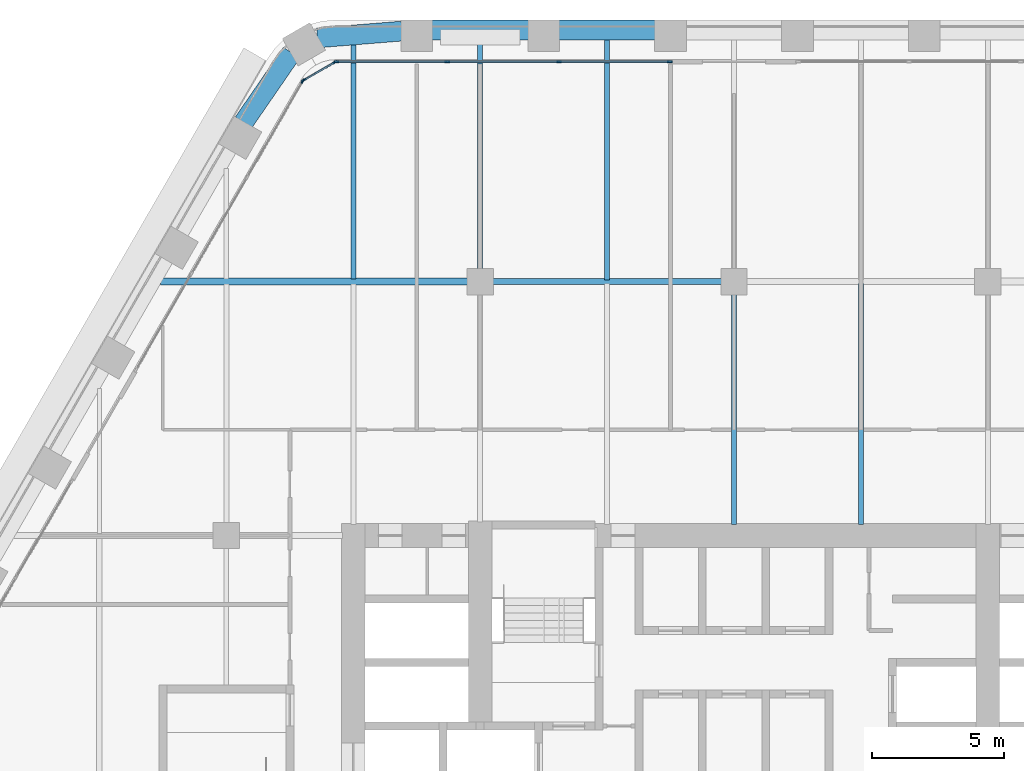
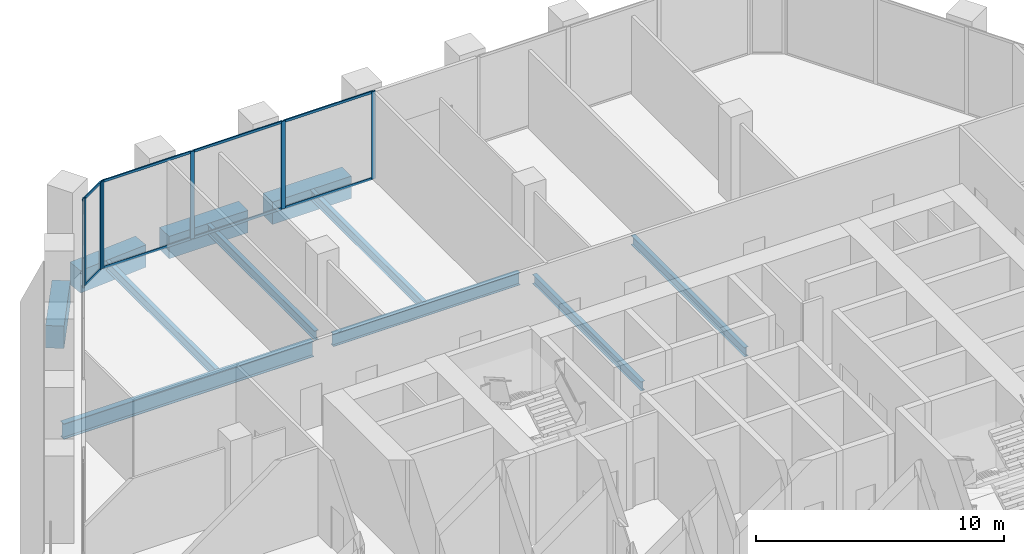
# One storey, part 7 of 23: 15 members, 11 beams, 3 elements without a shape of their own.
"""IFC4 building model written with IfcOpenShell, lengths in metres."""

from ifc_helpers import new_model, si_unit, direction, frame, origin, origin_2d, place, context, subcontext, project, spatial, rectangle, i_section, extrude, material, material_profile, profile_set, type_object, element, aggregate, save


model = new_model("IFC4")

# Units and contexts
model_context = context("Model", 3, precision=1e-05, world=origin(), true_north=direction((0.0, 1.0)))
body_context = subcontext(model_context, "Body", "Model", "MODEL_VIEW")
ifc_project = project(units=[si_unit("LENGTHUNIT", "METRE"), si_unit("AREAUNIT", "SQUARE_METRE"), si_unit("VOLUMEUNIT", "CUBIC_METRE"), si_unit("PLANEANGLEUNIT", "RADIAN"), si_unit("MASSUNIT", "GRAM", prefix="KILO")], contexts=[model_context])

# Site, building, storey
site_placement = place(None, origin())
site = spatial("IfcSite", under=ifc_project, at=site_placement, CompositionType="ELEMENT")
building_placement = place(site_placement, origin())
building = spatial("IfcBuilding", under=site, at=building_placement, Name="Kolab Exchange Tower", CompositionType="ELEMENT")
storey_placement = place(building_placement, frame((0.0, 0.0, 95.89990234375)))
storey = spatial("IfcBuildingStorey", under=building, at=storey_placement, Name="L18", CompositionType="ELEMENT", Elevation=95.89990234375)

# Beams
ifc_material_1 = material(Name="Steel S355", Category="steel")
ifc_material_profile_1 = material_profile(ifc_material_1, i_section(OverallWidth=0.18994140625, OverallDepth=0.45703125, WebThickness=0.009033203125, FlangeThickness=0.014404296875, at=origin_2d()), Name="W460X74")
ifc_profile_set_1 = profile_set([ifc_material_profile_1], Name="Steel S355")
beam_type_1 = type_object("IfcBeamType", Name="FLOOR BEAM W460X74", PredefinedType="BEAM", material=ifc_profile_set_1)
beam_1_placement = place(storey_placement, frame((-14.39990234375, 19.29345703125, -0.428466796875), z_axis=(0.0, 1.0, 0.0), x_axis=(-1.0, 0.0, 0.0)))
element("IfcBeam", 1, at=beam_1_placement, inside=storey, type_object=beam_type_1, Name="beam/L18/fr/015", PredefinedType="BEAM", context=body_context, shape_type="SweptSolid", body=[
    extrude(i_section(OverallWidth=0.18994140625, OverallDepth=0.45703125, WebThickness=0.009033203125, FlangeThickness=0.014404296875, at=origin_2d()), origin(), (0.0, 0.0, 1.0), 8.901123046875),
])
beam_2_placement = place(storey_placement, frame((-9.60009765625, 19.659912109375, -0.428466796875), z_axis=(0.0, 1.0, 0.0), x_axis=(-1.0, 0.0, 0.0)))
element("IfcBeam", 2, at=beam_2_placement, inside=storey, type_object=beam_type_1, Name="beam/L18/fr/019", PredefinedType="BEAM", context=body_context, shape_type="SweptSolid", body=[
    extrude(i_section(OverallWidth=0.18994140625, OverallDepth=0.45703125, WebThickness=0.009033203125, FlangeThickness=0.014404296875, at=origin_2d()), origin(), (0.0, 0.0, 1.0), 8.728515625),
])
beam_3_placement = place(storey_placement, frame((-4.800048828125, 19.27392578125, -0.428466796875), z_axis=(0.0, 1.0, 0.0), x_axis=(-1.0, 0.0, 0.0)))
element("IfcBeam", 3, at=beam_3_placement, inside=storey, type_object=beam_type_1, Name="beam/L18/fr/023", PredefinedType="BEAM", context=body_context, shape_type="SweptSolid", body=[
    extrude(i_section(OverallWidth=0.18994140625, OverallDepth=0.45703125, WebThickness=0.009033203125, FlangeThickness=0.014404296875, at=origin_2d()), origin(), (0.0, 0.0, 1.0), 9.114501953125),
])
beam_4_placement = place(storey_placement, frame((0.0, 10.010009765625, -0.428466796875), z_axis=(0.0, 1.0, 0.0), x_axis=(-1.0, 0.0, 0.0)))
element("IfcBeam", 4, at=beam_4_placement, inside=storey, type_object=beam_type_1, Name="beam/L18/fr/026", PredefinedType="BEAM", context=body_context, shape_type="SweptSolid", body=[
    extrude(i_section(OverallWidth=0.18994140625, OverallDepth=0.45703125, WebThickness=0.009033203125, FlangeThickness=0.014404296875, at=origin_2d()), origin(), (0.0, 0.0, 1.0), 8.72998046875),
])
beam_5_placement = place(storey_placement, frame((4.800048828125, 10.010009765625, -0.428466796875), z_axis=(0.0, 1.0, 0.0), x_axis=(-1.0, 0.0, 0.0)))
element("IfcBeam", 5, at=beam_5_placement, inside=storey, type_object=beam_type_1, Name="beam/L18/fr/030", PredefinedType="BEAM", context=body_context, shape_type="SweptSolid", body=[
    extrude(i_section(OverallWidth=0.18994140625, OverallDepth=0.45703125, WebThickness=0.009033203125, FlangeThickness=0.014404296875, at=origin_2d()), origin(), (0.0, 0.0, 1.0), 9.115966796875),
])
ifc_material_profile_2 = material_profile(ifc_material_1, i_section(OverallWidth=0.22802734375, OverallDepth=0.60791015625, WebThickness=0.01123046875, FlangeThickness=0.017333984375, at=origin_2d()), Name="W610X113")
ifc_profile_set_2 = profile_set([ifc_material_profile_2], Name="Steel S355")
beam_type_2 = type_object("IfcBeamType", Name="FLOOR GIRDER W610X113", PredefinedType="BEAM", material=ifc_profile_set_2)
beam_6_placement = place(storey_placement, frame((-9.139892578125, 19.199951171875, -0.50390625), z_axis=(1.0, 0.0, 0.0), x_axis=(0.0, 1.0, 0.0)))
element("IfcBeam", 6, at=beam_6_placement, inside=storey, type_object=beam_type_2, Name="beam/L18/gd/009", PredefinedType="BEAM", context=body_context, shape_type="SweptSolid", body=[
    extrude(i_section(OverallWidth=0.22802734375, OverallDepth=0.60791015625, WebThickness=0.01123046875, FlangeThickness=0.017333984375, at=origin_2d()), origin(), (0.0, 0.0, 1.0), 8.679931640625),
])
ifc_material_profile_3 = material_profile(ifc_material_1, i_section(OverallWidth=0.26708984375, OverallDepth=0.761962890625, WebThickness=0.014404296875, FlangeThickness=0.021484375, at=origin_2d()), Name="W760X173")
ifc_profile_set_3 = profile_set([ifc_material_profile_3], Name="Steel S355")
beam_type_3 = type_object("IfcBeamType", Name="FLOOR GIRDER W760X173", PredefinedType="BEAM", material=ifc_profile_set_3)
beam_7_placement = place(storey_placement, frame((-21.688720703125, 19.199951171875, -0.580810546875), z_axis=(1.0, 0.0, 0.0), x_axis=(0.0, 1.0, 0.0)))
element("IfcBeam", 7, at=beam_7_placement, inside=storey, type_object=beam_type_3, Name="beam/L18/gd/004", PredefinedType="BEAM", context=body_context, shape_type="SweptSolid", body=[
    extrude(i_section(OverallWidth=0.26708984375, OverallDepth=0.761962890625, WebThickness=0.014404296875, FlangeThickness=0.021484375, at=origin_2d()), origin(), (0.0, 0.0, 1.0), 11.628662109375),
])
ifc_material_2 = material(Name="Concrete C70/85", Category="concrete")
ifc_material_profile_4 = material_profile(ifc_material_2, rectangle(XDim=0.75, YDim=1.10009765625, at=origin_2d()), Name="RC750X1100")
ifc_profile_set_4 = profile_set([ifc_material_profile_4], Name="Concrete C70/85")
beam_type_4 = type_object("IfcBeamType", Name="SPANDREL BEAM 750X1100 C70/85", PredefinedType="BEAM", material=ifc_profile_set_4)
beam_8_placement = place(storey_placement, frame((-15.75830078125, 28.421630859375, -0.75), z_axis=(0.996791038408, 0.080047646748, 0.0), x_axis=(-0.080047646748, 0.996791038408, 0.0)))
element("IfcBeam", 8, at=beam_8_placement, inside=storey, type_object=beam_type_4, Name="beam/L18/sp/F1-01", PredefinedType="BEAM", context=body_context, shape_type="SweptSolid", body=[
    extrude(rectangle(XDim=0.75, YDim=1.10009765625, at=origin_2d()), origin(), (0.0, 0.0, 1.0), 3.20849609375),
])
for number, where, z_axis, x_axis, name in (
    (9, (-11.43994140625, 28.723388671875, -0.75), (1.0, 0.0, 0.0), (0.0, 1.0, 0.0), "beam/L18/sp/F1-02"),
    (10, (-6.639892578125, 28.723388671875, -0.75), (1.0, 0.0, 0.0), (0.0, 1.0, 0.0), "beam/L18/sp/F1-03"),
):
    element("IfcBeam", number, at=place(storey_placement, frame(where, z_axis=z_axis, x_axis=x_axis)), inside=storey, type_object=beam_type_4, Name=name, PredefinedType="BEAM", context=body_context, shape_type="SweptSolid", body=[
        extrude(rectangle(XDim=0.75, YDim=1.10009765625, at=origin_2d()), origin(), (0.0, 0.0, 1.0), 3.679931640625),
    ])
beam_9_placement = place(storey_placement, frame((-18.55615234375, 25.216552734375, -0.75), z_axis=(0.567661826262, 0.823261836237, 0.0), x_axis=(-0.823261836237, 0.567661826262, 0.0)))
element("IfcBeam", 11, at=beam_9_placement, inside=storey, type_object=beam_type_4, Name="beam/L18/sp/F6-07", PredefinedType="BEAM", context=body_context, shape_type="SweptSolid", body=[
    extrude(rectangle(XDim=0.75, YDim=1.10009765625, at=origin_2d()), origin(), (0.0, 0.0, 1.0), 3.20849609375),
])

# Curtain wall, members
ifc_material_3 = material(Name="Aluminium EN AW-6063 T6", Category="aluminium")
curtain_wall_type = type_object("IfcCurtainWallType", Name="UNITISED LOWER MID ZONE CURTAIN WALL", PredefinedType="NOTDEFINED", material=ifc_material_3)
curtain_wall_1_placement = place(storey_placement, origin())
curtain_wall_1 = element("IfcCurtainWall", 12, at=curtain_wall_1_placement, inside=storey, type_object=curtain_wall_type, Name="cw/L18/F1-1", PredefinedType="NOTDEFINED")
ifc_material_profile_5 = material_profile(ifc_material_3, rectangle(XDim=0.06005859375, YDim=0.179931640625, at=origin_2d()), Name="RECT 60X180")
ifc_profile_set_5 = profile_set([ifc_material_profile_5], Name="Aluminium EN AW-6063 T6")
member_type_1 = type_object("IfcMemberType", Name="UNITISED LOWER MID ZONE MULLION 60 X 180", PredefinedType="MULLION", material=ifc_profile_set_5)
member_1_placement = place(storey_placement, frame((-15.037841796875, 27.5185546875, 0.0), z_axis=(0.0, 0.0, 1.0), x_axis=(0.0, 1.0, 0.0)))
member_1 = element("IfcMember", 13, at=member_1_placement, type_object=member_type_1, Name="CW2 mullion 1", PredefinedType="MULLION", context=body_context, shape_type="SweptSolid", body=[
    extrude(rectangle(XDim=0.06005859375, YDim=0.179931640625, at=origin_2d()), origin(), (0.0, 0.0, 1.0), 4.300048828125),
])
member_2_placement = place(storey_placement, frame((-10.84521484375, 27.5185546875, 0.0), z_axis=(0.0, 0.0, 1.0), x_axis=(0.0, 1.0, 0.0)))
member_2 = element("IfcMember", 14, at=member_2_placement, type_object=member_type_1, Name="CW2 mullion 2", PredefinedType="MULLION", context=body_context, shape_type="SweptSolid", body=[
    extrude(rectangle(XDim=0.06005859375, YDim=0.179931640625, at=origin_2d()), origin(), (0.0, 0.0, 1.0), 4.300048828125),
])
member_3_placement = place(storey_placement, frame((-6.62255859375, 27.5185546875, 0.0), z_axis=(0.0, 0.0, 1.0), x_axis=(0.0, 1.0, 0.0)))
member_3 = element("IfcMember", 15, at=member_3_placement, type_object=member_type_1, Name="CW2 mullion 3", PredefinedType="MULLION", context=body_context, shape_type="SweptSolid", body=[
    extrude(rectangle(XDim=0.06005859375, YDim=0.179931640625, at=origin_2d()), origin(), (0.0, 0.0, 1.0), 4.300048828125),
])
member_4_placement = place(storey_placement, frame((-2.429931640625, 27.5185546875, 0.0), z_axis=(0.0, 0.0, 1.0), x_axis=(0.0, 1.0, 0.0)))
member_4 = element("IfcMember", 16, at=member_4_placement, type_object=member_type_1, Name="CW2 mullion 4", PredefinedType="MULLION", context=body_context, shape_type="SweptSolid", body=[
    extrude(rectangle(XDim=0.06005859375, YDim=0.179931640625, at=origin_2d()), origin(), (0.0, 0.0, 1.0), 4.300048828125),
])

# Curtain wall, member
curtain_wall_2_placement = place(storey_placement, origin())
curtain_wall_2 = element("IfcCurtainWall", 17, at=curtain_wall_2_placement, inside=storey, type_object=curtain_wall_type, Name="cw/L18/F6-2", PredefinedType="NOTDEFINED")
member_5_placement = place(storey_placement, frame((-16.312744140625, 26.782470703125, 0.0), z_axis=(0.0, 0.0, 1.0), x_axis=(-0.866025393644, 0.500000017564, 0.0)))
member_5 = element("IfcMember", 18, at=member_5_placement, type_object=member_type_1, Name="CW2 mullion 4", PredefinedType="MULLION", context=body_context, shape_type="SweptSolid", body=[
    extrude(rectangle(XDim=0.06005859375, YDim=0.179931640625, at=origin_2d()), origin(), (0.0, 0.0, 1.0), 4.300048828125),
])
aggregate(curtain_wall_2, [member_5])

# Curtain wall, members
curtain_wall_3_placement = place(storey_placement, origin())
curtain_wall_3 = element("IfcCurtainWall", 19, at=curtain_wall_3_placement, inside=storey, type_object=curtain_wall_type, Name="cw/L18/F6F1-corner", PredefinedType="NOTDEFINED")
member_6_placement = place(storey_placement, frame((-16.271728515625, 26.823486328125, 0.0), z_axis=(0.0, 0.0, 1.0), x_axis=(-0.50000002237, 0.866025390869, 0.0)))
member_6 = element("IfcMember", 20, at=member_6_placement, type_object=member_type_1, Name="CW2 mullion 1", PredefinedType="MULLION", context=body_context, shape_type="SweptSolid", body=[
    extrude(rectangle(XDim=0.06005859375, YDim=0.179931640625, at=origin_2d()), origin(), (0.0, 0.0, 1.0), 4.300048828125),
])
member_7_placement = place(storey_placement, frame((-15.093994140625, 27.50341796875, 0.0), z_axis=(0.0, 0.0, 1.0), x_axis=(-0.50000002237, 0.866025390869, 0.0)))
member_7 = element("IfcMember", 21, at=member_7_placement, type_object=member_type_1, Name="CW2 mullion 2", PredefinedType="MULLION", context=body_context, shape_type="SweptSolid", body=[
    extrude(rectangle(XDim=0.06005859375, YDim=0.179931640625, at=origin_2d()), origin(), (0.0, 0.0, 1.0), 4.300048828125),
])

# Member
ifc_material_profile_6 = material_profile(ifc_material_3, rectangle(XDim=0.06005859375, YDim=0.1201171875, at=origin_2d()), Name="RECT 60X120")
ifc_profile_set_6 = profile_set([ifc_material_profile_6], Name="Aluminium EN AW-6063 T6")
member_type_2 = type_object("IfcMemberType", Name="UNITISED LOWER MID ZONE TRANSOM 60 X 120", PredefinedType="USERDEFINED", material=ifc_profile_set_6)
member_8_placement = place(storey_placement, frame((-15.008056640625, 27.5185546875, 0.030029296875), z_axis=(1.0, 0.0, 0.0), x_axis=(0.0, 1.0, 0.0)))
member_8 = element("IfcMember", 22, at=member_8_placement, type_object=member_type_2, Name="CW2 transom 1.1", ObjectType="TRANSOM", PredefinedType="USERDEFINED", context=body_context, shape_type="SweptSolid", body=[
    extrude(rectangle(XDim=0.06005859375, YDim=0.1201171875, at=origin_2d()), origin(), (0.0, 0.0, 1.0), 4.1328125),
])

member_9_placement = place(storey_placement, frame((-15.008056640625, 27.5185546875, 4.27001953125), z_axis=(1.0, 0.0, 0.0), x_axis=(0.0, 1.0, 0.0)))
member_9 = element("IfcMember", 23, at=member_9_placement, type_object=member_type_2, Name="CW2 transom 1.2", ObjectType="TRANSOM", PredefinedType="USERDEFINED", context=body_context, shape_type="SweptSolid", body=[
    extrude(rectangle(XDim=0.06005859375, YDim=0.1201171875, at=origin_2d()), origin(), (0.0, 0.0, 1.0), 4.1328125),
])

member_10_placement = place(storey_placement, frame((-10.815185546875, 27.5185546875, 0.030029296875), z_axis=(1.0, 0.0, 0.0), x_axis=(0.0, 1.0, 0.0)))
member_10 = element("IfcMember", 24, at=member_10_placement, type_object=member_type_2, Name="CW2 transom 2.1", ObjectType="TRANSOM", PredefinedType="USERDEFINED", context=body_context, shape_type="SweptSolid", body=[
    extrude(rectangle(XDim=0.06005859375, YDim=0.1201171875, at=origin_2d()), origin(), (0.0, 0.0, 1.0), 4.16259765625),
])

member_11_placement = place(storey_placement, frame((-10.815185546875, 27.5185546875, 4.27001953125), z_axis=(1.0, 0.0, 0.0), x_axis=(0.0, 1.0, 0.0)))
member_11 = element("IfcMember", 25, at=member_11_placement, type_object=member_type_2, Name="CW2 transom 2.2", ObjectType="TRANSOM", PredefinedType="USERDEFINED", context=body_context, shape_type="SweptSolid", body=[
    extrude(rectangle(XDim=0.06005859375, YDim=0.1201171875, at=origin_2d()), origin(), (0.0, 0.0, 1.0), 4.16259765625),
])

member_12_placement = place(storey_placement, frame((-6.592529296875, 27.5185546875, 0.030029296875), z_axis=(1.0, 0.0, 0.0), x_axis=(0.0, 1.0, 0.0)))
member_12 = element("IfcMember", 26, at=member_12_placement, type_object=member_type_2, Name="CW2 transom 3.1", ObjectType="TRANSOM", PredefinedType="USERDEFINED", context=body_context, shape_type="SweptSolid", body=[
    extrude(rectangle(XDim=0.06005859375, YDim=0.1201171875, at=origin_2d()), origin(), (0.0, 0.0, 1.0), 4.132568359375),
])

member_13_placement = place(storey_placement, frame((-6.592529296875, 27.5185546875, 4.27001953125), z_axis=(1.0, 0.0, 0.0), x_axis=(0.0, 1.0, 0.0)))
member_13 = element("IfcMember", 27, at=member_13_placement, type_object=member_type_2, Name="CW2 transom 3.2", ObjectType="TRANSOM", PredefinedType="USERDEFINED", context=body_context, shape_type="SweptSolid", body=[
    extrude(rectangle(XDim=0.06005859375, YDim=0.1201171875, at=origin_2d()), origin(), (0.0, 0.0, 1.0), 4.132568359375),
])

aggregate(curtain_wall_1, [member_1, member_2, member_3, member_4, member_8, member_9, member_10, member_11, member_12, member_13])

member_14_placement = place(storey_placement, frame((-16.245849609375, 26.83837890625, 0.030029296875), z_axis=(0.866004217611, 0.500036693733, 0.0), x_axis=(-0.500036693733, 0.866004217611, 0.0)))
member_14 = element("IfcMember", 28, at=member_14_placement, type_object=member_type_2, Name="CW2 transom 1.1", ObjectType="TRANSOM", PredefinedType="USERDEFINED", context=body_context, shape_type="SweptSolid", body=[
    extrude(rectangle(XDim=0.06005859375, YDim=0.1201171875, at=origin_2d()), origin(), (0.0, 0.0, 1.0), 1.30029296875),
])

member_15_placement = place(storey_placement, frame((-16.245849609375, 26.83837890625, 4.27001953125), z_axis=(0.866004217611, 0.500036693733, 0.0), x_axis=(-0.500036693733, 0.866004217611, 0.0)))
member_15 = element("IfcMember", 29, at=member_15_placement, type_object=member_type_2, Name="CW2 transom 1.2", ObjectType="TRANSOM", PredefinedType="USERDEFINED", context=body_context, shape_type="SweptSolid", body=[
    extrude(rectangle(XDim=0.06005859375, YDim=0.1201171875, at=origin_2d()), origin(), (0.0, 0.0, 1.0), 1.30029296875),
])

aggregate(curtain_wall_3, [member_6, member_7, member_14, member_15])

save(model, "model.ifc")
